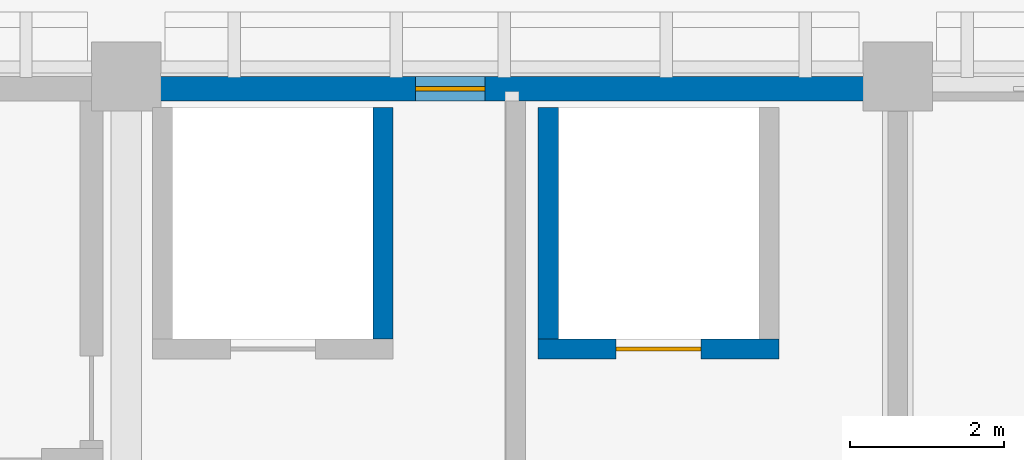
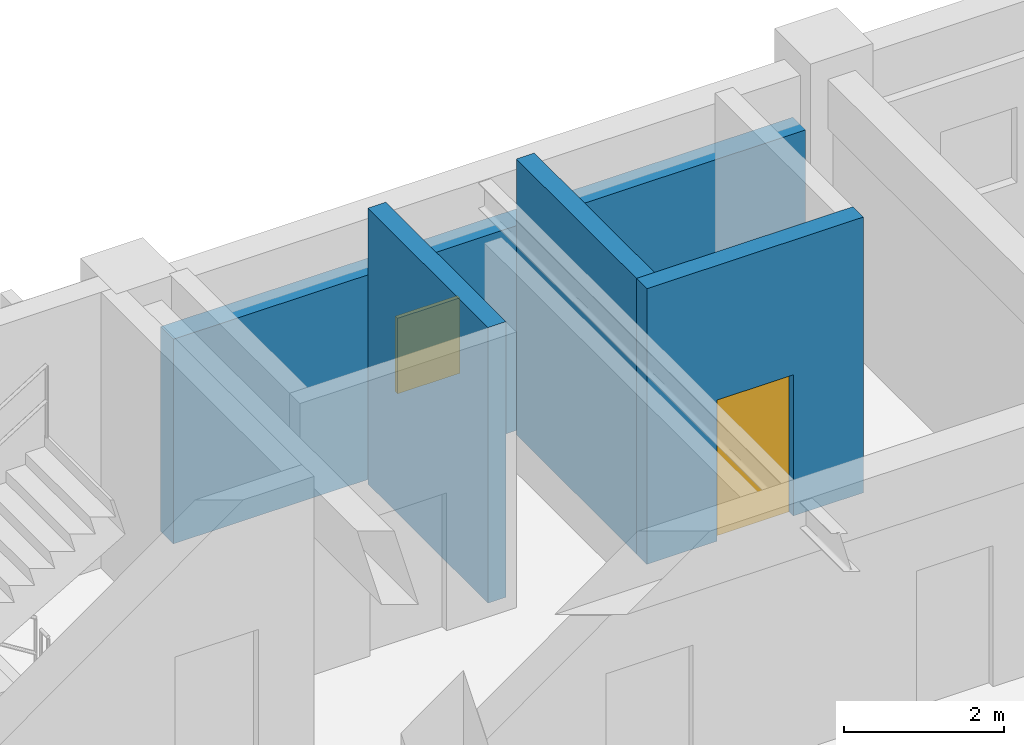
# One storey, part 80 of 100: 4 walls, 1 door, 1 window, 2 openings.
"""IFC4 building model written with IfcOpenShell, lengths in metres."""

import ifcopenshell
import ifcopenshell.guid

model = None  # the IFC model being written
_history = None  # IfcOwnerHistory: only IFC2X3 demands one
_inside = {}  # id of a spatial element -> (the spatial element, [elements in it])
_under = {}  # id of a project, library or spatial element -> (it, [spatial elements below it])
_declared = {}  # id of a project -> (the project, [libraries it declares])
_typed = {}  # id of a type object -> (the type object, [elements of that type])
_made_of = {}  # id of a material, layer set ... -> (it, [elements and type objects made of it])


def new_model(schema):
    """Start an empty IFC model of exactly this schema.

    Asked for "IFC4X3", IfcOpenShell would pick the latest addendum, in which some entities
    have other attributes; the version numbers below select the first issue.
    IFC2X3 requires an IfcOwnerHistory on every rooted entity: one is made here for all.
    """
    global model, _history
    if schema == "IFC4X3":
        model = ifcopenshell.file(schema_version=(4, 3, 0, 0))
    else:
        model = ifcopenshell.file(schema=schema)
    _inside.clear()
    _under.clear()
    _declared.clear()
    _typed.clear()
    _made_of.clear()
    _history = None
    if model.schema == "IFC2X3":
        org = make("IfcOrganization", Name="unknown")
        user = make(
            "IfcPersonAndOrganization",
            ThePerson=make("IfcPerson", FamilyName="unknown"),
            TheOrganization=org,
        )
        app = make(
            "IfcApplication",
            ApplicationDeveloper=org,
            Version="unknown",
            ApplicationFullName="unknown",
            ApplicationIdentifier="unknown",
        )
        _history = make(
            "IfcOwnerHistory",
            OwningUser=user,
            OwningApplication=app,
            ChangeAction="ADDED",
            CreationDate=0,
        )
    return model


def make(cls, **values):
    """One entity of the class cls with the attributes given. An attribute that is None is left unset."""
    return model.create_entity(
        cls, **{name: value for name, value in values.items() if value is not None}
    )


def rooted(cls, **values):
    """An entity with a GlobalId (a new one), such as an element, a storey or a relation."""
    return make(cls, GlobalId=ifcopenshell.guid.new(), OwnerHistory=_history, **values)


def si_unit(unit_type, name, prefix=None):
    """IfcSIUnit, for example si_unit("LENGTHUNIT", "METRE", prefix="MILLI")."""
    return make("IfcSIUnit", UnitType=unit_type, Prefix=prefix, Name=name)


def assignment(units):
    """IfcUnitAssignment: the units of a project."""
    return None if units is None else make("IfcUnitAssignment", Units=units)


def point(xyz):
    """IfcCartesianPoint."""
    return None if xyz is None else make("IfcCartesianPoint", Coordinates=xyz)


def direction(xyz):
    """IfcDirection."""
    return None if xyz is None else make("IfcDirection", DirectionRatios=xyz)


def frame(location, z_axis=None, x_axis=None):
    """IfcAxis2Placement3D, a coordinate frame: its origin and axes. An axis left out is left unset."""
    return make(
        "IfcAxis2Placement3D",
        Location=point(location),
        Axis=direction(z_axis),
        RefDirection=direction(x_axis),
    )


def frame_2d(location, x_axis=None):
    """IfcAxis2Placement2D, a coordinate frame in the plane: its origin and x axis."""
    return make(
        "IfcAxis2Placement2D", Location=point(location), RefDirection=direction(x_axis)
    )


def origin():
    """The frame at (0, 0, 0) with its axes left unset."""
    return frame((0.0, 0.0, 0.0))


def place(relative_to, where):
    """IfcLocalPlacement: puts the frame where relative to a parent placement (None: the world)."""
    return make(
        "IfcLocalPlacement", PlacementRelTo=relative_to, RelativePlacement=where
    )


def context(
    kind, dimensions, precision=None, world=None, true_north=None, identifier=None
):
    """IfcGeometricRepresentationContext, for example the 3D "Model" context."""
    return make(
        "IfcGeometricRepresentationContext",
        ContextIdentifier=identifier,
        ContextType=kind,
        CoordinateSpaceDimension=dimensions,
        Precision=precision,
        WorldCoordinateSystem=world,
        TrueNorth=true_north,
    )


def subcontext(parent, identifier, kind, view, scale=None):
    """IfcGeometricRepresentationSubContext, for example "Body" below "Model"."""
    return make(
        "IfcGeometricRepresentationSubContext",
        ContextIdentifier=identifier,
        ContextType=kind,
        ParentContext=parent,
        TargetScale=scale,
        TargetView=view,
    )


def project(units=None, contexts=None):
    """IfcProject with its units and contexts."""
    return rooted(
        "IfcProject",
        Name="project",
        RepresentationContexts=contexts,
        UnitsInContext=assignment(units),
    )


def spatial(cls, under=None, at=None, **own):
    """A site, building, storey or space (cls), placed at a placement, below another one or the project."""
    s = rooted(cls, ObjectPlacement=at, **own)
    if under is not None:
        _under.setdefault(under.id(), (under, []))[1].append(s)
    return s


def profile(cls, at=None, kind="AREA", **sizes):
    """A parametric profile (cls). Its sizes go by their IFC names, for example OverallWidth=200.0."""
    return make(cls, ProfileType=kind, Position=at, **sizes)


def rectangle(**sizes):
    """IfcRectangleProfileDef."""
    return profile("IfcRectangleProfileDef", **sizes)


def extrude(swept, where, along, depth):
    """IfcExtrudedAreaSolid: the profile swept, set in the frame where, extruded along a direction by depth."""
    return make(
        "IfcExtrudedAreaSolid",
        SweptArea=swept,
        Position=where,
        ExtrudedDirection=direction(along),
        Depth=depth,
    )


def shape(context_of_items, identifier, shape_type, items):
    """IfcShapeRepresentation: the items that make up one representation, for example the "Body"."""
    return make(
        "IfcShapeRepresentation",
        ContextOfItems=context_of_items,
        RepresentationIdentifier=identifier,
        RepresentationType=shape_type,
        Items=items,
    )


def material(Name=None, Category=None):
    """IfcMaterial."""
    return make("IfcMaterial", Name=Name, Category=Category)


def layer(
    of_material, thickness, ventilated=None, Name=None, Category=None, Priority=None
):
    """IfcMaterialLayer: one layer of a wall or slab, of a material (None: an air gap)."""
    return make(
        "IfcMaterialLayer",
        Material=of_material,
        LayerThickness=thickness,
        IsVentilated=ventilated,
        Name=Name,
        Category=Category,
        Priority=Priority,
    )


def layer_set(layers, Name=None):
    """IfcMaterialLayerSet."""
    return make("IfcMaterialLayerSet", MaterialLayers=layers, LayerSetName=Name)


def made_of(thing, what):
    """Note that an element or type object is made of a material, layer set ...; save() writes the relation."""
    if what is not None:
        _made_of.setdefault(what.id(), (what, []))[1].append(thing)
    return thing


def type_object(cls, material=None, **own):
    """A type object (cls), such as IfcWallType, which elements share."""
    return made_of(rooted(cls, **own), material)


def element(
    cls,
    number,
    at=None,
    inside=None,
    cuts=None,
    type_object=None,
    material=None,
    context=None,
    identifier="Body",
    shape_type=None,
    held_by="IfcProductDefinitionShape",
    body=None,
    shapes=None,
    **own,
):
    """One element of the class cls, such as IfcWall. Its Tag is "e" and its number.

    at: its placement. inside: the storey or other place that contains it. cuts: it is an
    opening in that element (IfcRelVoidsElement). A single representation is given by context,
    identifier, shape_type and body (its items); several are given by shapes. held_by: the class
    of the entity that holds the representations. save() writes the other relations.
    """
    e = rooted(cls, Tag="e%d" % number, ObjectPlacement=at, **own)
    if body is not None:
        shapes = [shape(context, identifier, shape_type, body)]
    if shapes is not None:
        e.Representation = make(held_by, Representations=shapes)
    if inside is not None:
        _inside.setdefault(inside.id(), (inside, []))[1].append(e)
    if cuts is not None:
        rooted(
            "IfcRelVoidsElement", RelatingBuildingElement=cuts, RelatedOpeningElement=e
        )
    if type_object is not None:
        _typed.setdefault(type_object.id(), (type_object, []))[1].append(e)
    return made_of(e, material)


def fill(opening, filler):
    """IfcRelFillsElement: the door or window that sits in an opening."""
    return rooted(
        "IfcRelFillsElement",
        RelatingOpeningElement=opening,
        RelatedBuildingElement=filler,
    )


def aggregate(whole, parts):
    """IfcRelAggregates: a whole, such as a stair, and the parts it consists of."""
    return rooted("IfcRelAggregates", RelatingObject=whole, RelatedObjects=parts)


def save(model, path):
    """Write the relations noted so far, then the file.

    IfcRelAggregates (storeys below a building ...), IfcRelContainedInSpatialStructure (elements
    in a storey), IfcRelDefinesByType, IfcRelAssociatesMaterial and IfcRelDeclares: one each for
    every whole, place, type object, material and project.
    """
    for whole, parts in _under.values():
        aggregate(whole, parts)
    for where, things in _inside.values():
        rooted(
            "IfcRelContainedInSpatialStructure",
            RelatedElements=things,
            RelatingStructure=where,
        )
    for kind, things in _typed.values():
        rooted("IfcRelDefinesByType", RelatedObjects=things, RelatingType=kind)
    for what, things in _made_of.values():
        rooted("IfcRelAssociatesMaterial", RelatedObjects=things, RelatingMaterial=what)
    for by, libraries in _declared.values():
        rooted("IfcRelDeclares", RelatingContext=by, RelatedDefinitions=libraries)
    model.write(path)


model = new_model("IFC4")

# Units and contexts
model_context = context("Model", 3, precision=1e-05, world=origin(), true_north=direction((0.0, 1.0)))
body_context = subcontext(model_context, "Body", "Model", "MODEL_VIEW")
ifc_project = project(units=[si_unit("LENGTHUNIT", "METRE"), si_unit("AREAUNIT", "SQUARE_METRE"), si_unit("VOLUMEUNIT", "CUBIC_METRE"), si_unit("PLANEANGLEUNIT", "RADIAN"), si_unit("MASSUNIT", "GRAM", prefix="KILO")], contexts=[model_context])

# Site, building, storey
site_placement = place(None, origin())
site = spatial("IfcSite", under=ifc_project, at=site_placement, CompositionType="ELEMENT")
building_placement = place(site_placement, origin())
building = spatial("IfcBuilding", under=site, at=building_placement, Name="Kivolera Central Railway Station", CompositionType="ELEMENT")
storey_placement = place(building_placement, frame((0.0, 0.0, 5.39990234375)))
storey = spatial("IfcBuildingStorey", under=building, at=storey_placement, Name="L01", CompositionType="ELEMENT", Elevation=5.39990234375)

# Wall, opening, window
ifc_material_1 = material(Name="Swahili coral limestone", Category="masonry")
ifc_layer_1 = layer(ifc_material_1, 0.320068359375, Name="Swahili coral limestone")
ifc_layer_set_1 = layer_set([ifc_layer_1], Name="Swahili coral limestone")
wall_type_1 = type_object("IfcWallType", Name="WL-EXT-CORAL-320", PredefinedType="SOLIDWALL", material=ifc_layer_set_1)
wall_1_placement = place(storey_placement, frame((128.445068359375, 133.840087890625, 0.0), z_axis=(0.0, 0.0, 1.0), x_axis=(1.0, 0.0, 0.0)))
wall_1 = element("IfcWall", 1, at=wall_1_placement, inside=storey, type_object=wall_type_1, Name="L01 North Street Facade Wall Bay 2", PredefinedType="SOLIDWALL", context=body_context, shape_type="SweptSolid", body=[
    extrude(rectangle(XDim=9.10986328125, YDim=0.320068359375, at=frame_2d((4.554931640625, 0.0))), origin(), (0.0, 0.0, 1.0), 3.1181640625),
])
opening_1_placement = place(wall_1_placement, frame((3.304931640625, 0.0, 1.050048828125)))
opening_1 = element("IfcOpeningElement", 2, at=opening_1_placement, cuts=wall_1, Name="Opening WN-01", PredefinedType="OPENING", context=body_context, shape_type="SweptSolid", body=[
    extrude(rectangle(XDim=0.89990234375, YDim=1.14990234375, at=frame_2d((0.449951171875, 0.574951171875))), frame((0.0, 0.169921875, 0.0), z_axis=(0.0, -1.0, 0.0), x_axis=(1.0, 0.0, 0.0)), (0.0, 0.0, 1.0), 0.340087890625),
])
ifc_material_2 = material(Name="Double low-E laminated glass", Category="glass")
window_type = type_object("IfcWindowType", Name="WIN-WN-01", PartitioningType="SINGLE_PANEL", PredefinedType="WINDOW", material=ifc_material_2)
window_placement = place(opening_1_placement, origin())
window = element("IfcWindow", 3, at=window_placement, inside=storey, type_object=window_type, Name="L01 North Street Window Bay 2.1", OverallHeight=1.14990234375, OverallWidth=0.89990234375, PartitioningType="SINGLE_PANEL", PredefinedType="WINDOW", context=body_context, shape_type="SweptSolid", body=[
    extrude(rectangle(XDim=0.89990234375, YDim=1.14990234375, at=frame_2d((0.449951171875, 0.574951171875))), frame((0.0, 0.030029296875, 0.0), z_axis=(0.0, -1.0, 0.0), x_axis=(1.0, 0.0, 0.0)), (0.0, 0.0, 1.0), 0.06005859375),
])
fill(opening_1, window)

# Wall
ifc_material_3 = material(Name="Concrete C40/50", Category="concrete")
ifc_layer_2 = layer(ifc_material_3, 0.260009765625, Name="Concrete C40/50")
ifc_layer_set_2 = layer_set([ifc_layer_2], Name="Concrete C40/50")
wall_type_2 = type_object("IfcWallType", Name="WL-SHAFT-260", PredefinedType="SHEAR", material=ifc_layer_set_2)
wall_2_placement = place(storey_placement, frame((131.330078125, 130.60009765625, 0.0), z_axis=(0.0, 0.0, 1.0), x_axis=(0.0, 1.0, 0.0)))
element("IfcWall", 4, at=wall_2_placement, inside=storey, type_object=wall_type_2, Name="L01 Lift FL1 East Shaft Wall", PredefinedType="SHEAR", context=body_context, shape_type="SweptSolid", body=[
    extrude(rectangle(XDim=3.0, YDim=0.260009765625, at=frame_2d((1.5, 0.0))), origin(), (0.0, 0.0, 1.0), 4.2001953125),
])

# Wall, opening, door
wall_3_placement = place(storey_placement, frame((133.340087890625, 130.469970703125, 0.0), z_axis=(0.0, 0.0, 1.0), x_axis=(1.0, 0.0, 0.0)))
wall_3 = element("IfcWall", 5, at=wall_3_placement, inside=storey, type_object=wall_type_2, Name="L01 Lift PL1 Front Shaft Wall", PredefinedType="SHEAR", context=body_context, shape_type="SweptSolid", body=[
    extrude(rectangle(XDim=3.119873046875, YDim=0.260009765625, at=frame_2d((1.56005859375, 0.0))), origin(), (0.0, 0.0, 1.0), 4.2001953125),
])
opening_2_placement = place(wall_3_placement, frame((1.010009765625, 0.0, 0.0)))
opening_2 = element("IfcOpeningElement", 6, at=opening_2_placement, cuts=wall_3, Name="Opening LD-PAX-1100", PredefinedType="OPENING", context=body_context, shape_type="SweptSolid", body=[
    extrude(rectangle(XDim=1.10009765625, YDim=2.14990234375, at=frame_2d((0.550048828125, 1.074951171875))), frame((0.0, 0.139892578125, 0.0), z_axis=(0.0, -1.0, 0.0), x_axis=(1.0, 0.0, 0.0)), (0.0, 0.0, 1.0), 0.280029296875),
])
ifc_material_4 = material(Name="Anodised aluminium", Category="aluminium")
door_type = type_object("IfcDoorType", Name="DR-LD-PAX-1100", OperationType="NOTDEFINED", PredefinedType="DOOR", material=ifc_material_4)
door_placement = place(opening_2_placement, origin())
door = element("IfcDoor", 7, at=door_placement, inside=storey, type_object=door_type, Name="L01 Lift PL1 Sliding Landing Door", OperationType="SLIDING_TO_LEFT", OverallHeight=2.14990234375, OverallWidth=1.10009765625, PredefinedType="DOOR", context=body_context, shape_type="SweptSolid", body=[
    extrude(rectangle(XDim=1.10009765625, YDim=2.14990234375, at=frame_2d((0.550048828125, 1.074951171875))), frame((0.0, 0.02490234375, 0.0), z_axis=(0.0, -1.0, 0.0), x_axis=(1.0, 0.0, 0.0)), (0.0, 0.0, 1.0), 0.050048828125),
])
fill(opening_2, door)

# Wall
wall_4_placement = place(storey_placement, frame((133.469970703125, 130.60009765625, 0.0), z_axis=(0.0, 0.0, 1.0), x_axis=(0.0, 1.0, 0.0)))
element("IfcWall", 8, at=wall_4_placement, inside=storey, type_object=wall_type_2, Name="L01 Lift PL1 West Shaft Wall", PredefinedType="SHEAR", context=body_context, shape_type="SweptSolid", body=[
    extrude(rectangle(XDim=3.0, YDim=0.260009765625, at=frame_2d((1.5, 0.0))), origin(), (0.0, 0.0, 1.0), 4.2001953125),
])

save(model, "model.ifc")
